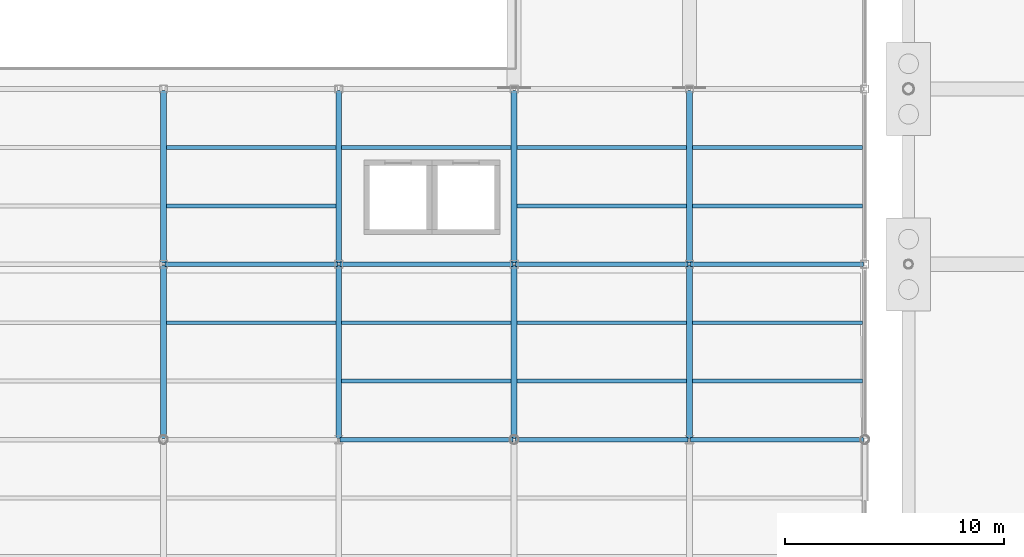
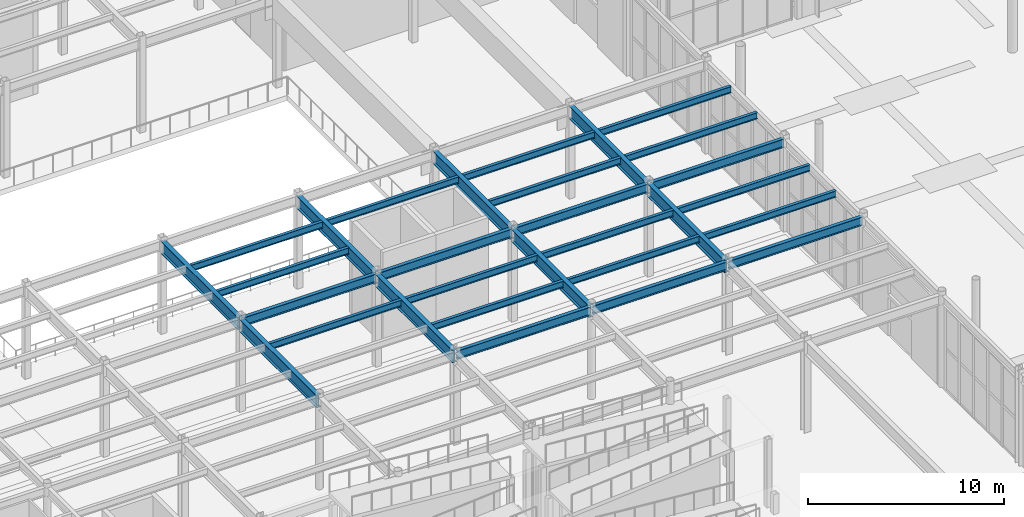
# One storey, part 36 of 82: 29 beams.
"""IFC4 building model written with IfcOpenShell, lengths in metres."""

from ifc_helpers import new_model, si_unit, direction, frame, origin, origin_2d, place, context, subcontext, project, spatial, i_section, extrude, material, material_profile, profile_set, type_object, element, save


model = new_model("IFC4")

# Units and contexts
model_context = context("Model", 3, precision=1e-05, world=origin(), true_north=direction((0.0, 1.0)))
body_context = subcontext(model_context, "Body", "Model", "MODEL_VIEW")
ifc_project = project(units=[si_unit("LENGTHUNIT", "METRE"), si_unit("AREAUNIT", "SQUARE_METRE"), si_unit("VOLUMEUNIT", "CUBIC_METRE"), si_unit("PLANEANGLEUNIT", "RADIAN"), si_unit("MASSUNIT", "GRAM", prefix="KILO")], contexts=[model_context])

# Site, building, storey
site_placement = place(None, origin())
site = spatial("IfcSite", under=ifc_project, at=site_placement, CompositionType="ELEMENT")
building_placement = place(site_placement, origin())
building = spatial("IfcBuilding", under=site, at=building_placement, Name="Drelvath Fold Interchange", CompositionType="ELEMENT")
storey_placement = place(building_placement, origin())
storey = spatial("IfcBuildingStorey", under=building, at=storey_placement, Name="L00", CompositionType="ELEMENT", Elevation=0.0)

# Beams
ifc_material = material(Name="Steel ASTM A992 Grade 50", Category="steel")
ifc_material_profile_1 = material_profile(ifc_material, i_section(OverallWidth=0.177978515625, OverallDepth=0.403076171875, WebThickness=0.007568359375, FlangeThickness=0.010986328125, at=origin_2d()), Name="W16X36")
ifc_profile_set_1 = profile_set([ifc_material_profile_1], Name="Steel ASTM A992 Grade 50")
beam_type_1 = type_object("IfcBeamType", Name="BM-W16X36", PredefinedType="JOIST", material=ifc_profile_set_1)
for number, where, z_axis, x_axis, name in (
    (1, (68.131103515625, 56.3330078125, 5.5380859375), (1.0, 0.0, 0.0), (0.0, 1.0, 0.0), "L00 Secondary floor joist BM-W16X36"),
    (2, (68.131103515625, 61.6669921875, 5.55810546875), (1.0, 0.0, 0.0), (0.0, 1.0, 0.0), "L00 Secondary floor joist BM-W16X36"),
    (3, (68.131103515625, 64.3330078125, 5.55810546875), (1.0, 0.0, 0.0), (0.0, 1.0, 0.0), "L00 Secondary floor joist BM-W16X36"),
    (4, (76.131103515625, 53.6669921875, 5.5380859375), (1.0, 0.0, 0.0), (0.0, 1.0, 0.0), "L00 Secondary floor joist BM-W16X36"),
    (5, (76.131103515625, 56.3330078125, 5.5380859375), (1.0, 0.0, 0.0), (0.0, 1.0, 0.0), "L00 Secondary floor joist BM-W16X36"),
    (6, (76.131103515625, 64.3330078125, 5.55810546875), (1.0, 0.0, 0.0), (0.0, 1.0, 0.0), "L00 Secondary floor joist BM-W16X36"),
    (7, (84.131103515625, 53.6669921875, 5.5380859375), (1.0, 0.0, 0.0), (0.0, 1.0, 0.0), "L00 Secondary floor joist BM-W16X36"),
    (8, (84.131103515625, 56.3330078125, 5.5380859375), (1.0, 0.0, 0.0), (0.0, 1.0, 0.0), "L00 Secondary floor joist BM-W16X36"),
    (9, (84.131103515625, 61.6669921875, 5.55810546875), (1.0, 0.0, 0.0), (0.0, 1.0, 0.0), "L00 Secondary floor joist BM-W16X36"),
    (10, (84.131103515625, 64.3330078125, 5.55810546875), (1.0, 0.0, 0.0), (0.0, 1.0, 0.0), "L00 Secondary floor joist BM-W16X36"),
):
    element("IfcBeam", number, at=place(storey_placement, frame(where, z_axis=z_axis, x_axis=x_axis)), inside=storey, type_object=beam_type_1, Name=name, PredefinedType="JOIST", context=body_context, shape_type="SweptSolid", body=[
        extrude(i_section(OverallWidth=0.177978515625, OverallDepth=0.403076171875, WebThickness=0.007568359375, FlangeThickness=0.010986328125, at=origin_2d()), origin(), (0.0, 0.0, 1.0), 7.73779296875),
    ])
for number, where, z_axis, x_axis, name in (
    (11, (92.131103515625, 53.6669921875, 5.5380859375), (1.0, 0.0, 0.0), (0.0, 1.0, 0.0), "L00 Secondary floor joist BM-W16X36"),
    (12, (92.131103515625, 56.3330078125, 5.5380859375), (1.0, 0.0, 0.0), (0.0, 1.0, 0.0), "L00 Secondary floor joist BM-W16X36"),
    (13, (92.131103515625, 61.6669921875, 5.55810546875), (1.0, 0.0, 0.0), (0.0, 1.0, 0.0), "L00 Secondary floor joist BM-W16X36"),
    (14, (92.131103515625, 64.3330078125, 5.55810546875), (1.0, 0.0, 0.0), (0.0, 1.0, 0.0), "L00 Secondary floor joist BM-W16X36"),
):
    element("IfcBeam", number, at=place(storey_placement, frame(where, z_axis=z_axis, x_axis=x_axis)), inside=storey, type_object=beam_type_1, Name=name, PredefinedType="JOIST", context=body_context, shape_type="SweptSolid", body=[
        extrude(i_section(OverallWidth=0.177978515625, OverallDepth=0.403076171875, WebThickness=0.007568359375, FlangeThickness=0.010986328125, at=origin_2d()), origin(), (0.0, 0.0, 1.0), 7.765869140625),
    ])
ifc_material_profile_2 = material_profile(ifc_material, i_section(OverallWidth=0.2099609375, OverallDepth=0.537109375, WebThickness=0.010986328125, FlangeThickness=0.017333984375, at=origin_2d()), Name="W21X68")
ifc_profile_set_2 = profile_set([ifc_material_profile_2], Name="Steel ASTM A992 Grade 50")
beam_type_2 = type_object("IfcBeamType", Name="BM-W21X68", PredefinedType="SPANDREL", material=ifc_profile_set_2)
for number, where, z_axis, x_axis, name in (
    (15, (76.06005859375, 51.0, 5.470947265625), (1.0, 0.0, 0.0), (0.0, 1.0, 0.0), "L00 Primary X girder BM-W21X68"),
    (16, (84.06005859375, 51.0, 5.470947265625), (1.0, 0.0, 0.0), (0.0, 1.0, 0.0), "L00 Primary X girder BM-W21X68"),
    (17, (92.06005859375, 51.0, 5.470947265625), (1.0, 0.0, 0.0), (0.0, 1.0, 0.0), "L00 Primary X girder BM-W21X68"),
    (18, (68.06005859375, 59.0, 5.470947265625), (1.0, 0.0, 0.0), (0.0, 1.0, 0.0), "L00 Primary X girder BM-W21X68"),
    (19, (76.06005859375, 59.0, 5.470947265625), (1.0, 0.0, 0.0), (0.0, 1.0, 0.0), "L00 Primary X girder BM-W21X68"),
    (20, (84.06005859375, 59.0, 5.470947265625), (1.0, 0.0, 0.0), (0.0, 1.0, 0.0), "L00 Primary X girder BM-W21X68"),
    (21, (92.06005859375, 59.0, 5.470947265625), (1.0, 0.0, 0.0), (0.0, 1.0, 0.0), "L00 Primary X girder BM-W21X68"),
):
    element("IfcBeam", number, at=place(storey_placement, frame(where, z_axis=z_axis, x_axis=x_axis)), inside=storey, type_object=beam_type_2, Name=name, PredefinedType="SPANDREL", context=body_context, shape_type="SweptSolid", body=[
        extrude(i_section(OverallWidth=0.2099609375, OverallDepth=0.537109375, WebThickness=0.010986328125, FlangeThickness=0.017333984375, at=origin_2d()), origin(), (0.0, 0.0, 1.0), 7.8798828125),
    ])
ifc_material_profile_3 = material_profile(ifc_material, i_section(OverallWidth=0.26611328125, OverallDepth=0.779052734375, WebThickness=0.0166015625, FlangeThickness=0.030029296875, at=origin_2d()), Name="W30X148")
ifc_profile_set_3 = profile_set([ifc_material_profile_3], Name="Steel ASTM A992 Grade 50")
beam_type_3 = type_object("IfcBeamType", Name="BM-W30X148", PredefinedType="BEAM", material=ifc_profile_set_3)
for number, where, z_axis, x_axis, name in (
    (22, (68.0, 51.06005859375, 5.35107421875), (0.0, 1.0, 0.0), (-1.0, 0.0, 0.0), "L00 Primary Y girder BM-W30X148"),
    (23, (68.0, 59.06005859375, 5.35107421875), (0.0, 1.0, 0.0), (-1.0, 0.0, 0.0), "L00 Primary Y girder BM-W30X148"),
    (24, (76.0, 51.06005859375, 5.35107421875), (0.0, 1.0, 0.0), (-1.0, 0.0, 0.0), "L00 Primary Y girder BM-W30X148"),
    (25, (76.0, 59.06005859375, 5.35107421875), (0.0, 1.0, 0.0), (-1.0, 0.0, 0.0), "L00 Primary Y girder BM-W30X148"),
    (26, (84.0, 51.06005859375, 5.35107421875), (0.0, 1.0, 0.0), (-1.0, 0.0, 0.0), "L00 Primary Y girder BM-W30X148"),
    (27, (84.0, 59.06005859375, 5.35107421875), (0.0, 1.0, 0.0), (-1.0, 0.0, 0.0), "L00 Primary Y girder BM-W30X148"),
    (28, (92.0, 51.06005859375, 5.35107421875), (0.0, 1.0, 0.0), (-1.0, 0.0, 0.0), "L00 Primary Y girder BM-W30X148"),
    (29, (92.0, 59.06005859375, 5.35107421875), (0.0, 1.0, 0.0), (-1.0, 0.0, 0.0), "L00 Primary Y girder BM-W30X148"),
):
    element("IfcBeam", number, at=place(storey_placement, frame(where, z_axis=z_axis, x_axis=x_axis)), inside=storey, type_object=beam_type_3, Name=name, PredefinedType="BEAM", context=body_context, shape_type="SweptSolid", body=[
        extrude(i_section(OverallWidth=0.26611328125, OverallDepth=0.779052734375, WebThickness=0.0166015625, FlangeThickness=0.030029296875, at=origin_2d()), origin(), (0.0, 0.0, 1.0), 7.8798828125),
    ])

save(model, "model.ifc")
